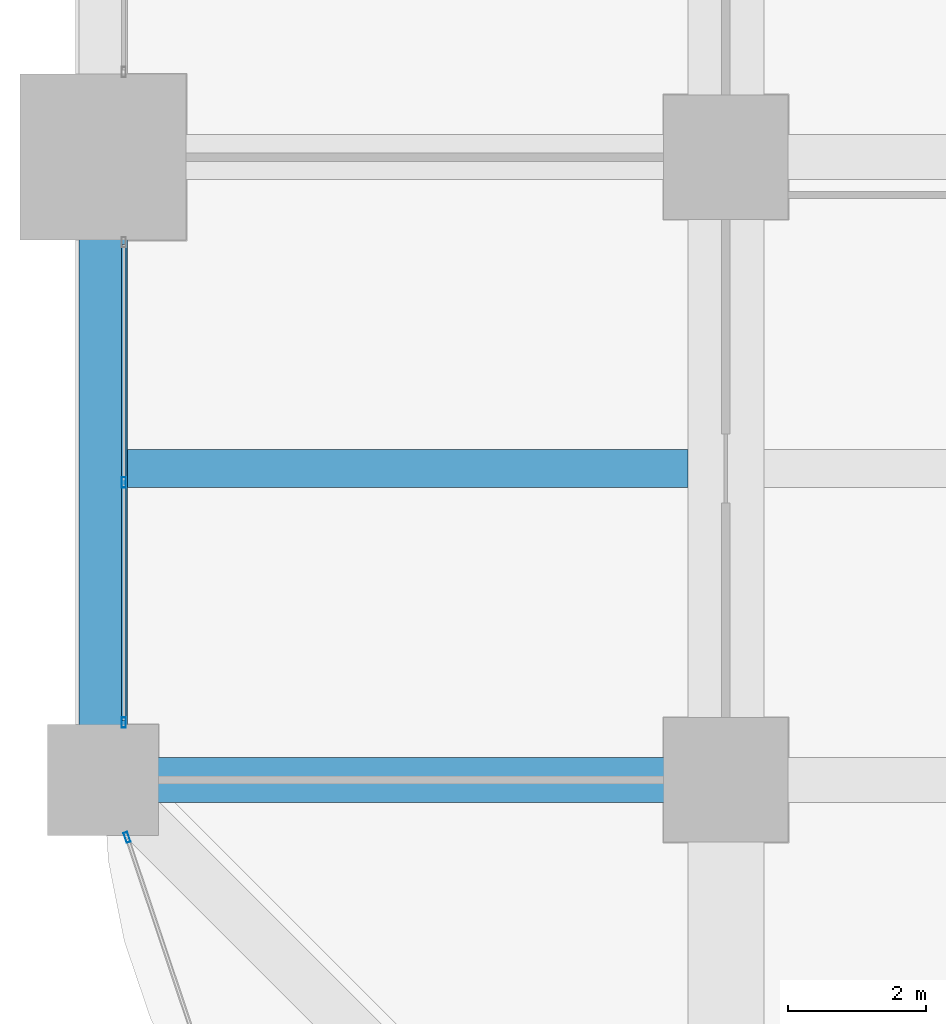
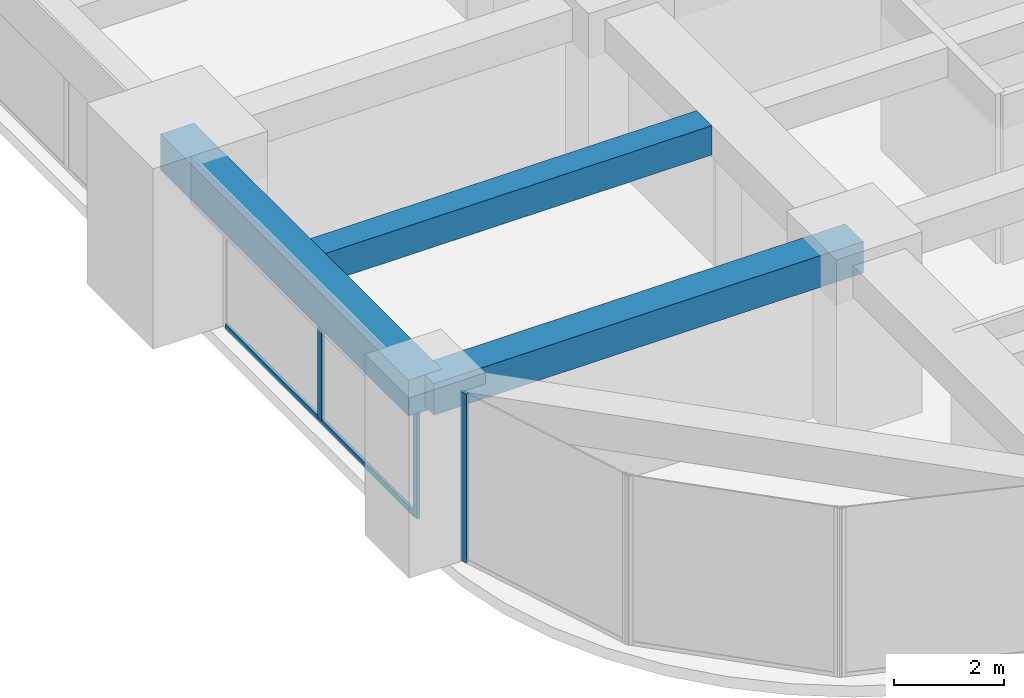
# One storey, part 4 of 40: 4 members, 3 beams, 2 elements without a shape of their own.
"""IFC4 building model written with IfcOpenShell, lengths in metres."""

from ifc_helpers import new_model, si_unit, direction, frame, origin, origin_2d, place, context, subcontext, project, spatial, rectangle, hollow_rectangle, extrude, material, material_profile, profile_set, type_object, element, aggregate, save


model = new_model("IFC4")

# Units and contexts
model_context = context("Model", 3, precision=1e-05, world=origin(), true_north=direction((0.0, 1.0)))
body_context = subcontext(model_context, "Body", "Model", "MODEL_VIEW")
ifc_project = project(units=[si_unit("LENGTHUNIT", "METRE"), si_unit("AREAUNIT", "SQUARE_METRE"), si_unit("VOLUMEUNIT", "CUBIC_METRE"), si_unit("PLANEANGLEUNIT", "RADIAN"), si_unit("MASSUNIT", "GRAM", prefix="KILO")], contexts=[model_context])

# Site, building, storey
site_placement = place(None, origin())
site = spatial("IfcSite", under=ifc_project, at=site_placement, CompositionType="ELEMENT")
building_placement = place(site_placement, origin())
building = spatial("IfcBuilding", under=site, at=building_placement, Name="Zorevar Civic Tower", CompositionType="ELEMENT")
storey_placement = place(building_placement, frame((0.0, 0.0, 133.0)))
storey = spatial("IfcBuildingStorey", under=building, at=storey_placement, Name="L32", CompositionType="ELEMENT", Elevation=133.0)

# Beams
ifc_material_1 = material(Name="Concrete C50/60", Category="concrete")
ifc_material_profile_1 = material_profile(ifc_material_1, rectangle(XDim=0.550048828125, YDim=0.64990234375, at=origin_2d()), Name="RC 550x650")
ifc_profile_set_1 = profile_set([ifc_material_profile_1], Name="Concrete C50/60")
beam_type_1 = type_object("IfcBeamType", Name="Beam RC 550x650", PredefinedType="BEAM", material=ifc_profile_set_1)
beam_1_placement = place(storey_placement, frame((0.35009765625, 13.5, 3.425048828125), z_axis=(1.0, 0.0, 0.0), x_axis=(0.0, 1.0, 0.0)))
element("IfcBeam", 1, at=beam_1_placement, inside=storey, type_object=beam_type_1, Name="Secondary beam L33", PredefinedType="BEAM", context=body_context, shape_type="SweptSolid", body=[
    extrude(rectangle(XDim=0.550048828125, YDim=0.64990234375, at=origin_2d()), origin(), (0.0, 0.0, 1.0), 8.099853515625),
])
ifc_material_2 = material(Name="Concrete C50/60", Category="concrete")
ifc_material_profile_2 = material_profile(ifc_material_2, rectangle(XDim=0.64990234375, YDim=0.699951171875, at=origin_2d()), Name="RC 650x700")
ifc_profile_set_2 = profile_set([ifc_material_profile_2], Name="Concrete C50/60")
beam_type_2 = type_object("IfcBeamType", Name="Beam RC 650x700", PredefinedType="BEAM", material=ifc_profile_set_2)
beam_2_placement = place(storey_placement, frame((0.0, 9.0, 3.39990234375), z_axis=(1.0, 0.0, 0.0), x_axis=(0.0, 1.0, 0.0)))
element("IfcBeam", 2, at=beam_2_placement, inside=storey, type_object=beam_type_2, Name="Girder L33", PredefinedType="BEAM", context=body_context, shape_type="SweptSolid", body=[
    extrude(rectangle(XDim=0.64990234375, YDim=0.699951171875, at=origin_2d()), origin(), (0.0, 0.0, 1.0), 9.0),
])

# Curtain wall, members
ifc_material_3 = material(Name="Dark grey solar-control glass in black aluminium frame", Category="aluminium")
curtain_wall_type = type_object("IfcCurtainWallType", Name="Curtain wall CW3 mid zone", PredefinedType="NOTDEFINED", material=ifc_material_3)
curtain_wall_1_placement = place(storey_placement, origin())
curtain_wall_1 = element("IfcCurtainWall", 3, at=curtain_wall_1_placement, inside=storey, type_object=curtain_wall_type, Name="CW3 L32", PredefinedType="NOTDEFINED")
ifc_material_4 = material(Name="Aluminium, black anodised", Category="aluminium")
ifc_material_profile_3 = material_profile(ifc_material_4, hollow_rectangle(XDim=0.06005859375, YDim=0.14990234375, WallThickness=0.00390625, at=origin_2d()), Name="AL 150x60x4")
ifc_profile_set_3 = profile_set([ifc_material_profile_3], Name="Aluminium, black anodised")
member_type_1 = type_object("IfcMemberType", Name="CW3 mullion AL 150x60x4", PredefinedType="MULLION", material=ifc_profile_set_3)
member_1_placement = place(storey_placement, frame((0.300048828125, 9.830078125, 0.0), z_axis=(0.0, 0.0, 1.0), x_axis=(-1.0, 0.0, 0.0)))
member_1 = element("IfcMember", 4, at=member_1_placement, type_object=member_type_1, Name="CW3 mullion 1", PredefinedType="MULLION", context=body_context, shape_type="SweptSolid", body=[
    extrude(hollow_rectangle(XDim=0.06005859375, YDim=0.14990234375, WallThickness=0.00390625, at=origin_2d()), origin(), (0.0, 0.0, 1.0), 2.949951171875),
])
member_2_placement = place(storey_placement, frame((0.300048828125, 13.300048828125, 0.06005859375), z_axis=(0.0, 0.0, 1.0), x_axis=(-1.0, 0.0, 0.0)))
member_2 = element("IfcMember", 5, at=member_2_placement, type_object=member_type_1, Name="CW3 mullion 2", PredefinedType="MULLION", context=body_context, shape_type="SweptSolid", body=[
    extrude(hollow_rectangle(XDim=0.06005859375, YDim=0.14990234375, WallThickness=0.00390625, at=origin_2d()), origin(), (0.0, 0.0, 1.0), 2.889892578125),
])

# Curtain wall, member
curtain_wall_2_placement = place(storey_placement, origin())
curtain_wall_2 = element("IfcCurtainWall", 6, at=curtain_wall_2_placement, inside=storey, type_object=curtain_wall_type, Name="CW3 L32", PredefinedType="NOTDEFINED")
member_3_placement = place(storey_placement, frame((0.346435546875, 8.171630859375, 0.0), z_axis=(0.0, 0.0, 1.0), x_axis=(0.948227238701, 0.317592669603, 0.0)))
member_3 = element("IfcMember", 7, at=member_3_placement, type_object=member_type_1, Name="CW3 mullion 1", PredefinedType="MULLION", context=body_context, shape_type="SweptSolid", body=[
    extrude(hollow_rectangle(XDim=0.06005859375, YDim=0.14990234375, WallThickness=0.00390625, at=origin_2d()), origin(), (0.0, 0.0, 1.0), 3.75),
])
aggregate(curtain_wall_2, [member_3])

# Member
ifc_material_5 = material(Name="Aluminium, black anodised", Category="aluminium")
ifc_material_profile_4 = material_profile(ifc_material_5, hollow_rectangle(XDim=0.06005859375, YDim=0.1201171875, WallThickness=0.0029296875, at=origin_2d()), Name="AL 120x60x3")
ifc_profile_set_4 = profile_set([ifc_material_profile_4], Name="Aluminium, black anodised")
member_type_2 = type_object("IfcMemberType", Name="CW3 transom AL 120x60x3", PredefinedType="USERDEFINED", material=ifc_profile_set_4)
member_4_placement = place(storey_placement, frame((0.300048828125, 9.860107421875, 0.030029296875), z_axis=(0.0, 1.0, 0.0), x_axis=(-1.0, 0.0, 0.0)))
member_4 = element("IfcMember", 8, at=member_4_placement, type_object=member_type_2, Name="CW3 sill transom", ObjectType="TRANSOM", PredefinedType="USERDEFINED", context=body_context, shape_type="SweptSolid", body=[
    extrude(hollow_rectangle(XDim=0.06005859375, YDim=0.1201171875, WallThickness=0.0029296875, at=origin_2d()), origin(), (0.0, 0.0, 1.0), 6.8798828125),
])

aggregate(curtain_wall_1, [member_1, member_2, member_4])

# Beam
ifc_material_6 = material(Name="Concrete C50/60", Category="concrete")
ifc_material_profile_5 = material_profile(ifc_material_6, rectangle(XDim=0.699951171875, YDim=0.800048828125, at=origin_2d()), Name="RC 700x800")
ifc_profile_set_5 = profile_set([ifc_material_profile_5], Name="Concrete C50/60")
beam_type_3 = type_object("IfcBeamType", Name="Edge beam RC 700x800", PredefinedType="SPANDREL", material=ifc_profile_set_5)
beam_3_placement = place(storey_placement, frame((0.0, 9.0, 3.35009765625), z_axis=(0.0, 1.0, 0.0), x_axis=(-1.0, 0.0, 0.0)))
element("IfcBeam", 9, at=beam_3_placement, inside=storey, type_object=beam_type_3, Name="Edge beam L33", PredefinedType="SPANDREL", context=body_context, shape_type="SweptSolid", body=[
    extrude(rectangle(XDim=0.699951171875, YDim=0.800048828125, at=origin_2d()), origin(), (0.0, 0.0, 1.0), 9.0),
])

save(model, "model.ifc")
